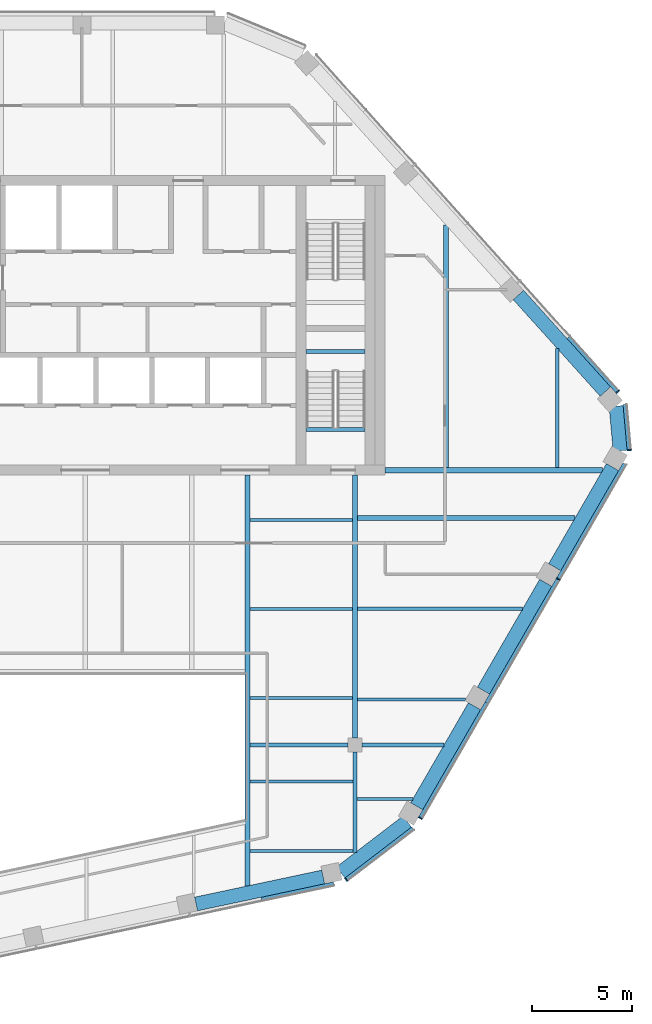
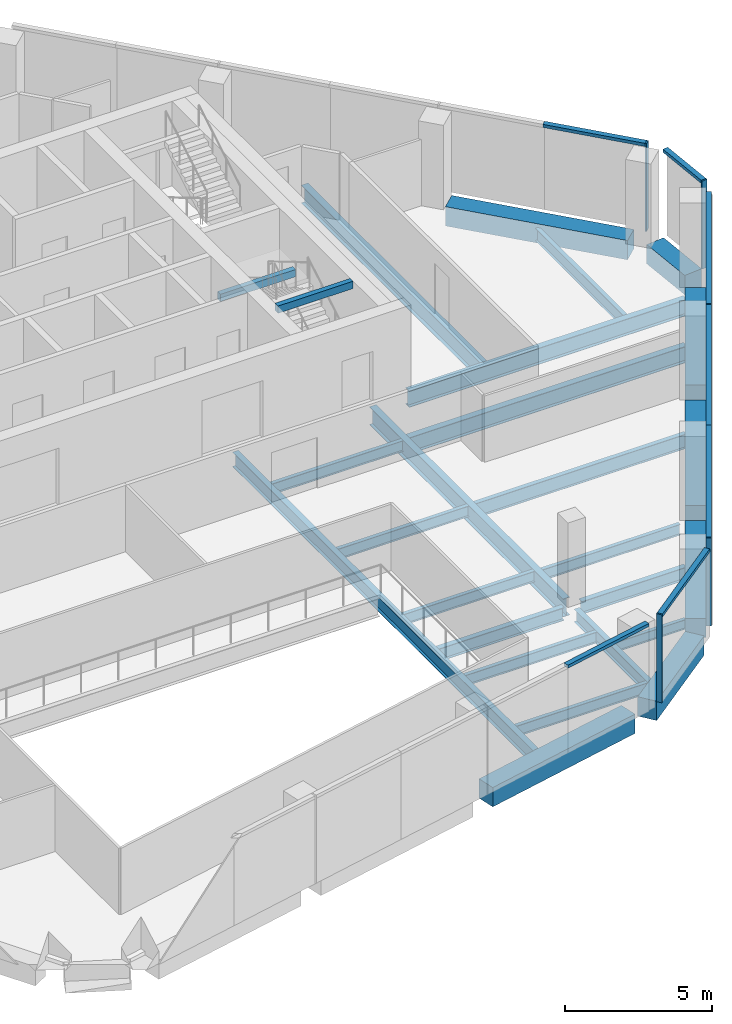
# One storey, part 4 of 15: 26 beams, 12 members, 5 elements without a shape of their own.
"""IFC4 building model written with IfcOpenShell, lengths in metres."""

from ifc_helpers import new_model, si_unit, direction, frame, origin, origin_2d, place, context, subcontext, project, spatial, rectangle, i_section, extrude, material, layer, layer_set, material_profile, profile_set, type_object, element, aggregate, save


model = new_model("IFC4")

# Units and contexts
model_context = context("Model", 3, precision=1e-05, world=origin(), true_north=direction((0.0, 1.0)))
body_context = subcontext(model_context, "Body", "Model", "MODEL_VIEW")
ifc_project = project(units=[si_unit("LENGTHUNIT", "METRE"), si_unit("AREAUNIT", "SQUARE_METRE"), si_unit("VOLUMEUNIT", "CUBIC_METRE"), si_unit("PLANEANGLEUNIT", "RADIAN"), si_unit("MASSUNIT", "GRAM", prefix="KILO")], contexts=[model_context])

# Site, building, storey
site_placement = place(None, origin())
site = spatial("IfcSite", under=ifc_project, at=site_placement, CompositionType="ELEMENT")
building_placement = place(site_placement, origin())
building = spatial("IfcBuilding", under=site, at=building_placement, Name="Isthmus Gate Tower", CompositionType="ELEMENT")
storey_placement = place(building_placement, frame((0.0, 0.0, 282.85009765625)))
storey = spatial("IfcBuildingStorey", under=building, at=storey_placement, Name="L72", CompositionType="ELEMENT", Elevation=282.85009765625)

# Curtain wall, member
ifc_material_1 = material(Name="Aluminium, pale champagne anodised", Category="aluminium")
ifc_layer = layer(ifc_material_1, 0.199951171875)
ifc_layer_set = layer_set([ifc_layer], Name="CW-1 UNITISED CURTAIN WALL 200 DEEP")
curtain_wall_type = type_object("IfcCurtainWallType", Name="CW-1 UNITISED CURTAIN WALL 200 DEEP", PredefinedType="NOTDEFINED", material=ifc_layer_set)
curtain_wall_1_placement = place(storey_placement, origin())
curtain_wall_1 = element("IfcCurtainWall", 1, at=curtain_wall_1_placement, inside=storey, type_object=curtain_wall_type, Name="CW-1 S-SE L72", PredefinedType="NOTDEFINED")
ifc_material_2 = material(Name="Aluminium, pale champagne anodised", Category="aluminium")
ifc_material_profile_1 = material_profile(ifc_material_2, rectangle(XDim=0.06005859375, YDim=0.199951171875, at=origin_2d()), Name="60x200")
ifc_profile_set_1 = profile_set([ifc_material_profile_1], Name="Aluminium, pale champagne anodised")
member_type_1 = type_object("IfcMemberType", Name="CW-1 MULLION 60 X 200", PredefinedType="MULLION", material=ifc_profile_set_1)
member_1_placement = place(storey_placement, frame((13.055908203125, -20.241455078125, 0.0), z_axis=(0.0, 0.0, 1.0), x_axis=(0.794188594387, 0.607671355706, 0.0)))
member_1 = element("IfcMember", 2, at=member_1_placement, type_object=member_type_1, Name="CW-1 mullion", PredefinedType="MULLION", context=body_context, shape_type="SweptSolid", body=[
    extrude(rectangle(XDim=0.06005859375, YDim=0.199951171875, at=origin_2d()), origin(), (0.0, 0.0, 1.0), 3.64990234375),
])

# Curtain wall, members
curtain_wall_2_placement = place(storey_placement, origin())
curtain_wall_2 = element("IfcCurtainWall", 3, at=curtain_wall_2_placement, inside=storey, type_object=curtain_wall_type, Name="CW-1 SE L72", PredefinedType="NOTDEFINED")
member_2_placement = place(storey_placement, frame((16.765380859375, -17.161376953125, 0.0), z_axis=(0.0, 0.0, 1.0), x_axis=(0.5, 0.866025403784, 0.0)))
member_2 = element("IfcMember", 4, at=member_2_placement, type_object=member_type_1, Name="CW-1 mullion", PredefinedType="MULLION", context=body_context, shape_type="SweptSolid", body=[
    extrude(rectangle(XDim=0.06005859375, YDim=0.199951171875, at=origin_2d()), origin(), (0.0, 0.0, 1.0), 3.64990234375),
])
member_3_placement = place(storey_placement, frame((23.675048828125, -5.193603515625, 0.0), z_axis=(0.0, 0.0, 1.0), x_axis=(0.5, 0.866025403784, 0.0)))
member_3 = element("IfcMember", 5, at=member_3_placement, type_object=member_type_1, Name="CW-1 mullion", PredefinedType="MULLION", context=body_context, shape_type="SweptSolid", body=[
    extrude(rectangle(XDim=0.06005859375, YDim=0.199951171875, at=origin_2d()), origin(), (0.0, 0.0, 1.0), 3.64990234375),
])

# Curtain wall, member
curtain_wall_3_placement = place(storey_placement, origin())
curtain_wall_3 = element("IfcCurtainWall", 6, at=curtain_wall_3_placement, inside=storey, type_object=curtain_wall_type, Name="CW-1 SE-NE L72", PredefinedType="NOTDEFINED")
member_4_placement = place(storey_placement, frame((27.21875, 1.258056640625, 0.0), z_axis=(0.0, 0.0, 1.0), x_axis=(-0.089396669717, 0.995996102123, 0.0)))
member_4 = element("IfcMember", 7, at=member_4_placement, type_object=member_type_1, Name="CW-1 mullion", PredefinedType="MULLION", context=body_context, shape_type="SweptSolid", body=[
    extrude(rectangle(XDim=0.06005859375, YDim=0.199951171875, at=origin_2d()), origin(), (0.0, 0.0, 1.0), 3.64990234375),
])

curtain_wall_4_placement = place(storey_placement, origin())
curtain_wall_4 = element("IfcCurtainWall", 8, at=curtain_wall_4_placement, inside=storey, type_object=curtain_wall_type, Name="CW-1 NE L72", PredefinedType="NOTDEFINED")
member_5_placement = place(storey_placement, frame((26.6474609375, 4.17626953125, 0.0), z_axis=(0.0, 0.0, 1.0), x_axis=(-0.669130606359, 0.743144825477, 0.0)))
member_5 = element("IfcMember", 9, at=member_5_placement, type_object=member_type_1, Name="CW-1 mullion", PredefinedType="MULLION", context=body_context, shape_type="SweptSolid", body=[
    extrude(rectangle(XDim=0.06005859375, YDim=0.199951171875, at=origin_2d()), origin(), (0.0, 0.0, 1.0), 3.64990234375),
])

curtain_wall_5_placement = place(storey_placement, origin())
curtain_wall_5 = element("IfcCurtainWall", 10, at=curtain_wall_5_placement, inside=storey, type_object=curtain_wall_type, Name="CW-1 S L72", PredefinedType="NOTDEFINED")
ifc_material_3 = material(Name="Aluminium, pale champagne anodised", Category="aluminium")
ifc_material_profile_2 = material_profile(ifc_material_3, rectangle(XDim=0.199951171875, YDim=0.1298828125, at=origin_2d()), Name="200x130")
ifc_profile_set_2 = profile_set([ifc_material_profile_2], Name="Aluminium, pale champagne anodised")
member_type_2 = type_object("IfcMemberType", Name="CW-1 TRANSOM 200 X 130", PredefinedType="USERDEFINED", material=ifc_profile_set_2)
member_6_placement = place(storey_placement, frame((8.816162109375, -21.228271484375, 3.5849609375), z_axis=(0.978146451283, 0.207917098487, 0.0), x_axis=(-0.207917098487, 0.978146451283, 0.0)))
member_6 = element("IfcMember", 11, at=member_6_placement, type_object=member_type_2, Name="CW-1 transom", ObjectType="TRANSOM", PredefinedType="USERDEFINED", context=body_context, shape_type="SweptSolid", body=[
    extrude(rectangle(XDim=0.199951171875, YDim=0.1298828125, at=origin_2d()), origin(), (0.0, 0.0, 1.0), 3.70361328125),
])
aggregate(curtain_wall_5, [member_6])

# Member
member_7_placement = place(storey_placement, frame((13.07958984375, -20.22314453125, 3.5849609375), z_axis=(0.794225234414, 0.607623466482, 0.0), x_axis=(-0.607623466482, 0.794225234414, 0.0)))
member_7 = element("IfcMember", 12, at=member_7_placement, type_object=member_type_2, Name="CW-1 transom", ObjectType="TRANSOM", PredefinedType="USERDEFINED", context=body_context, shape_type="SweptSolid", body=[
    extrude(rectangle(XDim=0.199951171875, YDim=0.1298828125, at=origin_2d()), origin(), (0.0, 0.0, 1.0), 4.181396484375),
])

aggregate(curtain_wall_1, [member_1, member_7])

member_8_placement = place(storey_placement, frame((16.780517578125, -17.135498046875, 3.5849609375), z_axis=(0.49999574405, 0.866027860944, 0.0), x_axis=(-0.866027860944, 0.49999574405, 0.0)))
member_8 = element("IfcMember", 13, at=member_8_placement, type_object=member_type_2, Name="CW-1 transom", ObjectType="TRANSOM", PredefinedType="USERDEFINED", context=body_context, shape_type="SweptSolid", body=[
    extrude(rectangle(XDim=0.199951171875, YDim=0.1298828125, at=origin_2d()), origin(), (0.0, 0.0, 1.0), 6.62451171875),
])

member_9_placement = place(storey_placement, frame((20.0927734375, -11.3984375, 3.5849609375), z_axis=(0.499985098601, 0.86603400694, 0.0), x_axis=(-0.86603400694, 0.499985098601, 0.0)))
member_9 = element("IfcMember", 14, at=member_9_placement, type_object=member_type_2, Name="CW-1 transom", ObjectType="TRANSOM", PredefinedType="USERDEFINED", context=body_context, shape_type="SweptSolid", body=[
    extrude(rectangle(XDim=0.199951171875, YDim=0.1298828125, at=origin_2d()), origin(), (0.0, 0.0, 1.0), 7.134521484375),
])

member_10_placement = place(storey_placement, frame((23.68994140625, -5.167724609375, 3.5849609375), z_axis=(0.49999574405, 0.866027860944, 0.0), x_axis=(-0.866027860944, 0.49999574405, 0.0)))
member_10 = element("IfcMember", 15, at=member_10_placement, type_object=member_type_2, Name="CW-1 transom", ObjectType="TRANSOM", PredefinedType="USERDEFINED", context=body_context, shape_type="SweptSolid", body=[
    extrude(rectangle(XDim=0.199951171875, YDim=0.1298828125, at=origin_2d()), origin(), (0.0, 0.0, 1.0), 6.62451171875),
])

aggregate(curtain_wall_2, [member_2, member_8, member_9, member_3, member_10])

member_11_placement = place(storey_placement, frame((27.216064453125, 1.287841796875, 3.5849609375), z_axis=(-0.089395362867, 0.995996219419, 0.0), x_axis=(-0.995996219419, -0.089395362867, 0.0)))
member_11 = element("IfcMember", 16, at=member_11_placement, type_object=member_type_2, Name="CW-1 transom", ObjectType="TRANSOM", PredefinedType="USERDEFINED", context=body_context, shape_type="SweptSolid", body=[
    extrude(rectangle(XDim=0.199951171875, YDim=0.1298828125, at=origin_2d()), origin(), (0.0, 0.0, 1.0), 2.258544921875),
])

aggregate(curtain_wall_3, [member_4, member_11])

member_12_placement = place(storey_placement, frame((26.62744140625, 4.198486328125, 3.5849609375), z_axis=(-0.669149818044, 0.743127526749, 0.0), x_axis=(-0.743127526749, -0.669149818044, 0.0)))
member_12 = element("IfcMember", 17, at=member_12_placement, type_object=member_type_2, Name="CW-1 transom", ObjectType="TRANSOM", PredefinedType="USERDEFINED", context=body_context, shape_type="SweptSolid", body=[
    extrude(rectangle(XDim=0.199951171875, YDim=0.1298828125, at=origin_2d()), origin(), (0.0, 0.0, 1.0), 3.643310546875),
])

aggregate(curtain_wall_4, [member_5, member_12])

# Beams
ifc_material_4 = material(Name="Concrete f'c 50 MPa", Category="concrete")
ifc_material_profile_3 = material_profile(ifc_material_4, rectangle(XDim=0.699951171875, YDim=0.800048828125, at=origin_2d()), Name="RC 700X800")
ifc_profile_set_3 = profile_set([ifc_material_profile_3], Name="Concrete f'c 50 MPa")
beam_type_1 = type_object("IfcBeamType", Name="RC SPANDREL 700 X 800", PredefinedType="SPANDREL", material=ifc_profile_set_3)
beam_1_placement = place(storey_placement, frame((21.67822265625, 9.022705078125, -0.400146484375), z_axis=(0.669122265754, -0.743152335307, 0.0), x_axis=(0.743152335307, 0.669122265754, 0.0)))
element("IfcBeam", 18, at=beam_1_placement, inside=storey, type_object=beam_type_1, Name="str-spandrel-L72-03", PredefinedType="SPANDREL", context=body_context, shape_type="SweptSolid", body=[
    extrude(rectangle(XDim=0.699951171875, YDim=0.800048828125, at=origin_2d()), origin(), (0.0, 0.0, 1.0), 6.506591796875),
])
beam_2_placement = place(storey_placement, frame((26.5693359375, 3.459716796875, -0.400146484375), z_axis=(0.089359478208, -0.995999439585, 0.0), x_axis=(0.995999439585, 0.089359478208, 0.0)))
element("IfcBeam", 19, at=beam_2_placement, inside=storey, type_object=beam_type_1, Name="str-spandrel-L72-04", PredefinedType="SPANDREL", context=body_context, shape_type="SweptSolid", body=[
    extrude(rectangle(XDim=0.699951171875, YDim=0.800048828125, at=origin_2d()), origin(), (0.0, 0.0, 1.0), 2.245849609375),
])
beam_3_placement = place(storey_placement, frame((26.387451171875, 0.404541015625, -0.400146484375), z_axis=(-0.499979418648, -0.866037286108, 0.0), x_axis=(0.866037286108, -0.499979418648, 0.0)))
element("IfcBeam", 20, at=beam_3_placement, inside=storey, type_object=beam_type_1, Name="str-spandrel-L72-05", PredefinedType="SPANDREL", context=body_context, shape_type="SweptSolid", body=[
    extrude(rectangle(XDim=0.699951171875, YDim=0.800048828125, at=origin_2d()), origin(), (0.0, 0.0, 1.0), 5.784423828125),
])
beam_4_placement = place(storey_placement, frame((23.045166015625, -5.384521484375, -0.400146484375), z_axis=(-0.499997027648, -0.866027119866, 0.0), x_axis=(0.866027119866, -0.499997027648, 0.0)))
element("IfcBeam", 21, at=beam_4_placement, inside=storey, type_object=beam_type_1, Name="str-spandrel-L72-06", PredefinedType="SPANDREL", context=body_context, shape_type="SweptSolid", body=[
    extrude(rectangle(XDim=0.699951171875, YDim=0.800048828125, at=origin_2d()), origin(), (0.0, 0.0, 1.0), 6.234375),
])
beam_5_placement = place(storey_placement, frame((19.47802734375, -11.56298828125, -0.400146484375), z_axis=(-0.499992798144, -0.866029561738, 0.0), x_axis=(0.866029561738, -0.499992798144, 0.0)))
element("IfcBeam", 22, at=beam_5_placement, inside=storey, type_object=beam_type_1, Name="str-spandrel-L72-07", PredefinedType="SPANDREL", context=body_context, shape_type="SweptSolid", body=[
    extrude(rectangle(XDim=0.699951171875, YDim=0.800048828125, at=origin_2d()), origin(), (0.0, 0.0, 1.0), 5.78466796875),
])
beam_6_placement = place(storey_placement, frame((16.110595703125, -17.337646484375, -0.400146484375), z_axis=(-0.794204252251, -0.607650891307, 0.0), x_axis=(0.607650891307, -0.794204252251, 0.0)))
element("IfcBeam", 23, at=beam_6_placement, inside=storey, type_object=beam_type_1, Name="str-spandrel-L72-08", PredefinedType="SPANDREL", context=body_context, shape_type="SweptSolid", body=[
    extrude(rectangle(XDim=0.699951171875, YDim=0.800048828125, at=origin_2d()), origin(), (0.0, 0.0, 1.0), 4.197021484375),
])
beam_7_placement = place(storey_placement, frame((11.90478515625, -20.11181640625, -0.400146484375), z_axis=(-0.978148646173, -0.207906772352, 0.0), x_axis=(0.207906772352, -0.978148646173, 0.0)))
element("IfcBeam", 24, at=beam_7_placement, inside=storey, type_object=beam_type_1, Name="str-spandrel-L72-09", PredefinedType="SPANDREL", context=body_context, shape_type="SweptSolid", body=[
    extrude(rectangle(XDim=0.699951171875, YDim=0.800048828125, at=origin_2d()), origin(), (0.0, 0.0, 1.0), 6.506591796875),
])
ifc_material_5 = material(Name="Concrete f'c 40 MPa", Category="concrete")
ifc_material_profile_4 = material_profile(ifc_material_5, rectangle(XDim=0.199951171875, YDim=0.300048828125, at=origin_2d()), Name="STAIR LANDING BEAM RC 200 X 300")
ifc_profile_set_4 = profile_set([ifc_material_profile_4], Name="Concrete f'c 40 MPa")
beam_type_2 = type_object("IfcBeamType", Name="STAIR LANDING BEAM RC 200 X 300", PredefinedType="BEAM", material=ifc_profile_set_4)
for number, where, z_axis, x_axis, name in (
    (25, (11.050048828125, 6.199951171875, 1.474853515625), (1.0, 0.0, 0.0), (0.0, 1.0, 0.0), "L72 ST8 landing beam 1"),
    (26, (11.050048828125, 2.2998046875, 3.349853515625), (1.0, 0.0, 0.0), (0.0, 1.0, 0.0), "L72 ST8 floor-edge seat beam"),
):
    element("IfcBeam", number, at=place(storey_placement, frame(where, z_axis=z_axis, x_axis=x_axis)), inside=storey, type_object=beam_type_2, Name=name, PredefinedType="BEAM", context=body_context, shape_type="SweptSolid", body=[
        extrude(rectangle(XDim=0.199951171875, YDim=0.300048828125, at=origin_2d()), origin(), (0.0, 0.0, 1.0), 2.949951171875),
    ])
ifc_material_6 = material(Name="Structural steel ASTM A992 Gr 50", Category="steel")
ifc_material_profile_5 = material_profile(ifc_material_6, i_section(OverallWidth=0.1396484375, OverallDepth=0.4033203125, WebThickness=0.00634765625, FlangeThickness=0.010986328125, at=origin_2d()), Name="W16X31")
ifc_profile_set_5 = profile_set([ifc_material_profile_5], Name="Structural steel ASTM A992 Gr 50")
beam_type_3 = type_object("IfcBeamType", Name="STEEL FLOOR BEAM W16X31", PredefinedType="JOIST", material=ifc_profile_set_5)
beam_8_placement = place(storey_placement, frame((13.604736328125, -16.20947265625, -0.351806640625), z_axis=(1.0, 0.0, 0.0), x_axis=(0.0, 1.0, 0.0)))
element("IfcBeam", 27, at=beam_8_placement, inside=storey, type_object=beam_type_3, Name="str-beam-L72-11-00", PredefinedType="JOIST", context=body_context, shape_type="SweptSolid", body=[
    extrude(i_section(OverallWidth=0.1396484375, OverallDepth=0.4033203125, WebThickness=0.00634765625, FlangeThickness=0.010986328125, at=origin_2d()), origin(), (0.0, 0.0, 1.0), 2.78662109375),
])
ifc_material_7 = material(Name="Structural steel ASTM A992 Gr 50", Category="steel")
ifc_material_profile_6 = material_profile(ifc_material_7, i_section(OverallWidth=0.15234375, OverallDepth=0.45068359375, WebThickness=0.0078125, FlangeThickness=0.010986328125, at=origin_2d()), Name="W18X35")
ifc_profile_set_6 = profile_set([ifc_material_profile_6], Name="Structural steel ASTM A992 Gr 50")
beam_type_4 = type_object("IfcBeamType", Name="STEEL FLOOR BEAM W18X35", PredefinedType="JOIST", material=ifc_profile_set_6)
for number, where, z_axis, x_axis, name in (
    (28, (8.228515625, -18.802734375, -0.37548828125), (1.0, 0.0, 0.0), (0.0, 1.0, 0.0), "str-beam-L72-09-00"),
    (29, (8.228515625, -15.33740234375, -0.37548828125), (1.0, 0.0, 0.0), (0.0, 1.0, 0.0), "str-beam-L72-09-01"),
):
    element("IfcBeam", number, at=place(storey_placement, frame(where, z_axis=z_axis, x_axis=x_axis)), inside=storey, type_object=beam_type_4, Name=name, PredefinedType="JOIST", context=body_context, shape_type="SweptSolid", body=[
        extrude(i_section(OverallWidth=0.15234375, OverallDepth=0.45068359375, WebThickness=0.0078125, FlangeThickness=0.010986328125, at=origin_2d()), origin(), (0.0, 0.0, 1.0), 5.166748046875),
    ])
for number, where, z_axis, x_axis, name in (
    (30, (8.228515625, -11.16259765625, -0.37548828125), (1.0, 0.0, 0.0), (0.0, 1.0, 0.0), "str-beam-L72-10-00"),
    (31, (8.228515625, -6.697509765625, -0.37548828125), (1.0, 0.0, 0.0), (0.0, 1.0, 0.0), "str-beam-L72-10-01"),
    (32, (8.228515625, -2.232421875, -0.37548828125), (1.0, 0.0, 0.0), (0.0, 1.0, 0.0), "str-beam-L72-10-02"),
):
    element("IfcBeam", number, at=place(storey_placement, frame(where, z_axis=z_axis, x_axis=x_axis)), inside=storey, type_object=beam_type_4, Name=name, PredefinedType="JOIST", context=body_context, shape_type="SweptSolid", body=[
        extrude(i_section(OverallWidth=0.15234375, OverallDepth=0.45068359375, WebThickness=0.0078125, FlangeThickness=0.010986328125, at=origin_2d()), origin(), (0.0, 0.0, 1.0), 5.1396484375),
    ])
beam_9_placement = place(storey_placement, frame((13.6318359375, -11.2294921875, -0.37548828125), z_axis=(1.0, 0.0, 0.0), x_axis=(0.0, 1.0, 0.0)))
element("IfcBeam", 33, at=beam_9_placement, inside=storey, type_object=beam_type_4, Name="str-beam-L72-12-00", PredefinedType="JOIST", context=body_context, shape_type="SweptSolid", body=[
    extrude(i_section(OverallWidth=0.15234375, OverallDepth=0.45068359375, WebThickness=0.0078125, FlangeThickness=0.010986328125, at=origin_2d()), origin(), (0.0, 0.0, 1.0), 5.40380859375),
])
ifc_material_8 = material(Name="Structural steel ASTM A992 Gr 50", Category="steel")
ifc_material_profile_7 = material_profile(ifc_material_8, i_section(OverallWidth=0.1650390625, OverallDepth=0.52392578125, WebThickness=0.009521484375, FlangeThickness=0.010986328125, at=origin_2d()), Name="W21X44")
ifc_profile_set_7 = profile_set([ifc_material_profile_7], Name="Structural steel ASTM A992 Gr 50")
beam_type_5 = type_object("IfcBeamType", Name="STEEL FLOOR BEAM W21X44", PredefinedType="JOIST", material=ifc_profile_set_7)
beam_10_placement = place(storey_placement, frame((23.61865234375, 0.376953125, -0.412109375), z_axis=(0.0, 1.0, 0.0), x_axis=(-1.0, 0.0, 0.0)))
element("IfcBeam", 34, at=beam_10_placement, inside=storey, type_object=beam_type_5, Name="str-beam-L72-07-07", PredefinedType="JOIST", context=body_context, shape_type="SweptSolid", body=[
    extrude(i_section(OverallWidth=0.1650390625, OverallDepth=0.52392578125, WebThickness=0.009521484375, FlangeThickness=0.010986328125, at=origin_2d()), origin(), (0.0, 0.0, 1.0), 5.967529296875),
])
ifc_material_9 = material(Name="Structural steel ASTM A992 Gr 50", Category="steel")
ifc_material_profile_8 = material_profile(ifc_material_9, i_section(OverallWidth=0.177734375, OverallDepth=0.60009765625, WebThickness=0.009521484375, FlangeThickness=0.0126953125, at=origin_2d()), Name="W24X55")
ifc_profile_set_8 = profile_set([ifc_material_profile_8], Name="Structural steel ASTM A992 Gr 50")
beam_type_6 = type_object("IfcBeamType", Name="STEEL FLOOR BEAM W24X55", PredefinedType="JOIST", material=ifc_profile_set_8)
beam_11_placement = place(storey_placement, frame((13.6318359375, -6.6884765625, -0.4501953125), z_axis=(1.0, 0.0, 0.0), x_axis=(0.0, 1.0, 0.0)))
element("IfcBeam", 35, at=beam_11_placement, inside=storey, type_object=beam_type_6, Name="str-beam-L72-12-01", PredefinedType="JOIST", context=body_context, shape_type="SweptSolid", body=[
    extrude(i_section(OverallWidth=0.177734375, OverallDepth=0.60009765625, WebThickness=0.009521484375, FlangeThickness=0.0126953125, at=origin_2d()), origin(), (0.0, 0.0, 1.0), 8.25634765625),
])
ifc_material_10 = material(Name="Structural steel ASTM A992 Gr 50", Category="steel")
ifc_material_profile_9 = material_profile(ifc_material_10, i_section(OverallWidth=0.25390625, OverallDepth=0.679443359375, WebThickness=0.010986328125, FlangeThickness=0.015869140625, at=origin_2d()), Name="W27X84")
ifc_profile_set_9 = profile_set([ifc_material_profile_9], Name="Structural steel ASTM A992 Gr 50")
beam_type_7 = type_object("IfcBeamType", Name="STEEL FLOOR BEAM W27X84", PredefinedType="JOIST", material=ifc_profile_set_9)
beam_12_placement = place(storey_placement, frame((13.6318359375, -2.1474609375, -0.48974609375), z_axis=(1.0, 0.0, 0.0), x_axis=(0.0, 1.0, 0.0)))
element("IfcBeam", 36, at=beam_12_placement, inside=storey, type_object=beam_type_7, Name="str-beam-L72-12-02", PredefinedType="JOIST", context=body_context, shape_type="SweptSolid", body=[
    extrude(i_section(OverallWidth=0.25390625, OverallDepth=0.679443359375, WebThickness=0.010986328125, FlangeThickness=0.015869140625, at=origin_2d()), origin(), (0.0, 0.0, 1.0), 10.878173828125),
])
ifc_material_11 = material(Name="Structural steel ASTM A992 Gr 50", Category="steel")
ifc_material_profile_10 = material_profile(ifc_material_11, i_section(OverallWidth=0.263427734375, OverallDepth=0.749267578125, WebThickness=0.0126953125, FlangeThickness=0.015869140625, at=origin_2d()), Name="W30X90")
ifc_profile_set_10 = profile_set([ifc_material_profile_10], Name="Structural steel ASTM A992 Gr 50")
beam_type_8 = type_object("IfcBeamType", Name="STEEL FLOOR BEAM W30X90", PredefinedType="JOIST", material=ifc_profile_set_10)
beam_13_placement = place(storey_placement, frame((18.05712890625, 0.376953125, -0.524658203125), z_axis=(0.0, 1.0, 0.0), x_axis=(-1.0, 0.0, 0.0)))
element("IfcBeam", 37, at=beam_13_placement, inside=storey, type_object=beam_type_8, Name="str-beam-L72-07-06", PredefinedType="JOIST", context=body_context, shape_type="SweptSolid", body=[
    extrude(i_section(OverallWidth=0.263427734375, OverallDepth=0.749267578125, WebThickness=0.0126953125, FlangeThickness=0.015869140625, at=origin_2d()), origin(), (0.0, 0.0, 1.0), 12.144287109375),
])
ifc_material_12 = material(Name="Structural steel ASTM A992 Gr 50", Category="steel")
ifc_material_profile_11 = material_profile(ifc_material_12, i_section(OverallWidth=0.20947265625, OverallDepth=0.533447265625, WebThickness=0.009521484375, FlangeThickness=0.015869140625, at=origin_2d()), Name="W21X62")
ifc_profile_set_11 = profile_set([ifc_material_profile_11], Name="Structural steel ASTM A992 Gr 50")
beam_type_9 = type_object("IfcBeamType", Name="STEEL GIRDER W21X62", PredefinedType="BEAM", material=ifc_profile_set_11)
beam_14_placement = place(storey_placement, frame((8.228515625, -13.5, -0.416748046875), z_axis=(1.0, 0.0, 0.0), x_axis=(0.0, 1.0, 0.0)))
element("IfcBeam", 38, at=beam_14_placement, inside=storey, type_object=beam_type_9, Name="str-girder-L72-03", PredefinedType="BEAM", context=body_context, shape_type="SweptSolid", body=[
    extrude(i_section(OverallWidth=0.20947265625, OverallDepth=0.533447265625, WebThickness=0.009521484375, FlangeThickness=0.015869140625, at=origin_2d()), origin(), (0.0, 0.0, 1.0), 4.92138671875),
])
beam_15_placement = place(storey_placement, frame((13.85009765625, -13.5, -0.416748046875), z_axis=(1.0, 0.0, 0.0), x_axis=(0.0, 1.0, 0.0)))
element("IfcBeam", 39, at=beam_15_placement, inside=storey, type_object=beam_type_9, Name="str-girder-L72-04", PredefinedType="BEAM", context=body_context, shape_type="SweptSolid", body=[
    extrude(i_section(OverallWidth=0.20947265625, OverallDepth=0.533447265625, WebThickness=0.009521484375, FlangeThickness=0.015869140625, at=origin_2d()), origin(), (0.0, 0.0, 1.0), 4.10546875),
])
beam_16_placement = place(storey_placement, frame((13.5, -18.894287109375, -0.416748046875), z_axis=(0.0, 1.0, 0.0), x_axis=(-1.0, 0.0, 0.0)))
element("IfcBeam", 40, at=beam_16_placement, inside=storey, type_object=beam_type_9, Name="str-girder-L72-07", PredefinedType="BEAM", context=body_context, shape_type="SweptSolid", body=[
    extrude(i_section(OverallWidth=0.20947265625, OverallDepth=0.533447265625, WebThickness=0.009521484375, FlangeThickness=0.015869140625, at=origin_2d()), origin(), (0.0, 0.0, 1.0), 5.044189453125),
])
ifc_material_13 = material(Name="Structural steel ASTM A992 Gr 50", Category="steel")
ifc_material_profile_12 = material_profile(ifc_material_13, i_section(OverallWidth=0.25390625, OverallDepth=0.679443359375, WebThickness=0.010986328125, FlangeThickness=0.015869140625, at=origin_2d()), Name="W27X84")
ifc_profile_set_12 = profile_set([ifc_material_profile_12], Name="Structural steel ASTM A992 Gr 50")
beam_type_10 = type_object("IfcBeamType", Name="STEEL GIRDER W27X84", PredefinedType="BEAM", material=ifc_profile_set_12)
beam_17_placement = place(storey_placement, frame((15.0, 0.25, -0.48974609375), z_axis=(1.0, 0.0, 0.0), x_axis=(0.0, 1.0, 0.0)))
element("IfcBeam", 41, at=beam_17_placement, inside=storey, type_object=beam_type_10, Name="str-girder-L72-10", PredefinedType="BEAM", context=body_context, shape_type="SweptSolid", body=[
    extrude(i_section(OverallWidth=0.25390625, OverallDepth=0.679443359375, WebThickness=0.010986328125, FlangeThickness=0.015869140625, at=origin_2d()), origin(), (0.0, 0.0, 1.0), 10.89404296875),
])
ifc_material_14 = material(Name="Structural steel ASTM A992 Gr 50", Category="steel")
ifc_material_profile_13 = material_profile(ifc_material_14, i_section(OverallWidth=0.263427734375, OverallDepth=0.749267578125, WebThickness=0.0126953125, FlangeThickness=0.015869140625, at=origin_2d()), Name="W30X90")
ifc_profile_set_13 = profile_set([ifc_material_profile_13], Name="Structural steel ASTM A992 Gr 50")
beam_type_11 = type_object("IfcBeamType", Name="STEEL GIRDER W30X90", PredefinedType="BEAM", material=ifc_profile_set_13)
beam_18_placement = place(storey_placement, frame((13.5, -13.14990234375, -0.524658203125), z_axis=(0.0, 1.0, 0.0), x_axis=(-1.0, 0.0, 0.0)))
element("IfcBeam", 42, at=beam_18_placement, inside=storey, type_object=beam_type_11, Name="str-girder-L72-08", PredefinedType="BEAM", context=body_context, shape_type="SweptSolid", body=[
    extrude(i_section(OverallWidth=0.263427734375, OverallDepth=0.749267578125, WebThickness=0.0126953125, FlangeThickness=0.015869140625, at=origin_2d()), origin(), (0.0, 0.0, 1.0), 13.14990234375),
])
ifc_material_15 = material(Name="Structural steel ASTM A992 Gr 50", Category="steel")
ifc_material_profile_14 = material_profile(ifc_material_15, i_section(OverallWidth=0.228515625, OverallDepth=0.603271484375, WebThickness=0.010986328125, FlangeThickness=0.014404296875, at=origin_2d()), Name="W24X68")
ifc_profile_set_14 = profile_set([ifc_material_profile_14], Name="Structural steel ASTM A992 Gr 50")
beam_type_12 = type_object("IfcBeamType", Name="STEEL TRIMMER W24X68", PredefinedType="BEAM", material=ifc_profile_set_14)
beam_19_placement = place(storey_placement, frame((8.1142578125, -20.5595703125, -0.45166015625), z_axis=(0.0, 1.0, 0.0), x_axis=(-1.0, 0.0, 0.0)))
element("IfcBeam", 43, at=beam_19_placement, inside=storey, type_object=beam_type_12, Name="str-trimmer-L72-01", PredefinedType="BEAM", context=body_context, shape_type="SweptSolid", body=[
    extrude(i_section(OverallWidth=0.228515625, OverallDepth=0.603271484375, WebThickness=0.010986328125, FlangeThickness=0.014404296875, at=origin_2d()), origin(), (0.0, 0.0, 1.0), 20.5595703125),
])

save(model, "model.ifc")
